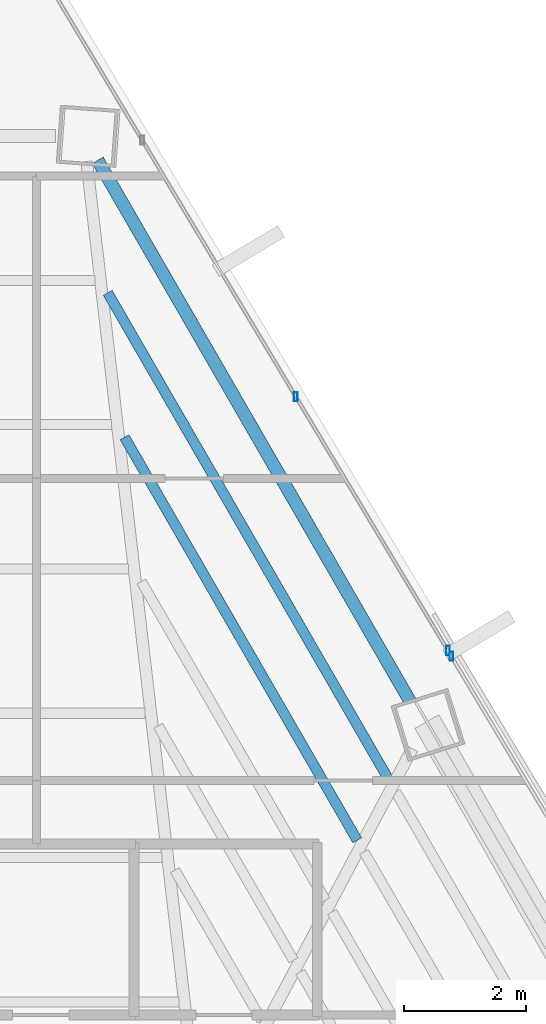
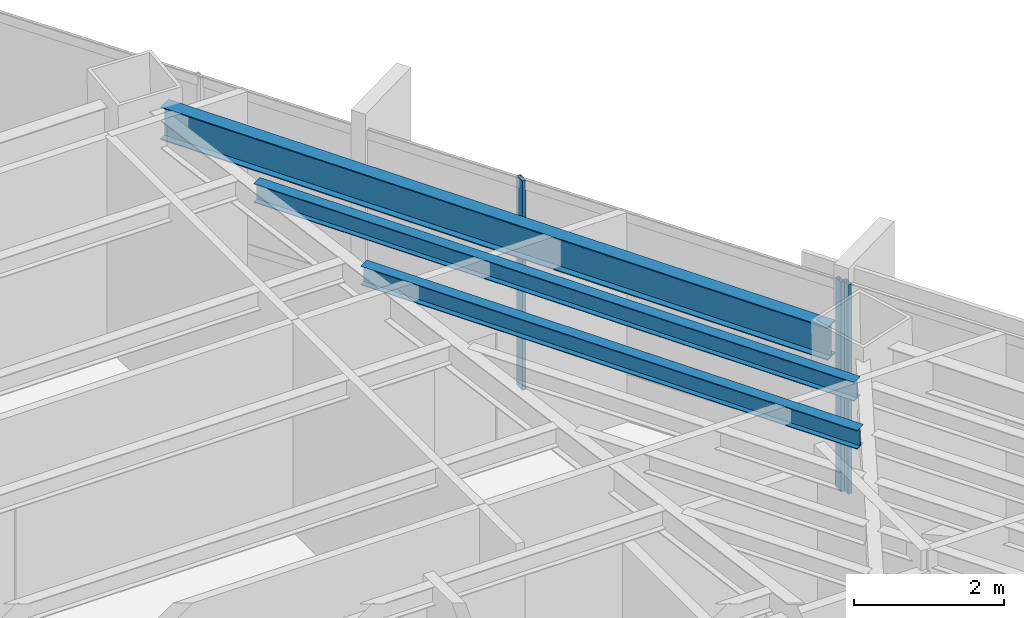
# One storey, part 32 of 41: 3 beams, 3 members, 2 elements without a shape of their own.
"""IFC4 building model written with IfcOpenShell, lengths in metres."""

from ifc_helpers import new_model, si_unit, direction, frame, origin, origin_2d, place, context, subcontext, project, spatial, hollow_rectangle, i_section, extrude, source, transform, mapped, material, material_profile, profile_set, type_object, type_shapes, element, aggregate, save


model = new_model("IFC4")

# Units and contexts
model_context = context("Model", 3, precision=1e-05, world=origin(), true_north=direction((0.0, 1.0)))
body_context = subcontext(model_context, "Body", "Model", "MODEL_VIEW")
ifc_project = project(units=[si_unit("LENGTHUNIT", "METRE"), si_unit("AREAUNIT", "SQUARE_METRE"), si_unit("VOLUMEUNIT", "CUBIC_METRE"), si_unit("PLANEANGLEUNIT", "RADIAN"), si_unit("MASSUNIT", "GRAM", prefix="KILO")], contexts=[model_context])

# Site, building, storey
site_placement = place(None, origin())
site = spatial("IfcSite", under=ifc_project, at=site_placement, CompositionType="ELEMENT")
building_placement = place(site_placement, origin())
building = spatial("IfcBuilding", under=site, at=building_placement, Name="Caelisora Broadcast Tower", CompositionType="ELEMENT")
storey_placement = place(building_placement, frame((0.0, 0.0, 180.39990234375)))
storey = spatial("IfcBuildingStorey", under=building, at=storey_placement, Name="L47", CompositionType="ELEMENT", Elevation=180.39990234375)

# Beams
ifc_material_1 = material(Name="Steel Grade 350 (AS/NZS 3679.1)", Category="steel")
ifc_material_profile_1 = material_profile(ifc_material_1, i_section(OverallWidth=0.208984375, OverallDepth=0.532958984375, WebThickness=0.01025390625, FlangeThickness=0.015625, at=origin_2d()), Name="Steel Grade 350 (AS/NZS 3679.1)")
ifc_profile_set_1 = profile_set([ifc_material_profile_1], Name="Steel Grade 350 (AS/NZS 3679.1)")
beam_type_1 = type_object("IfcBeamType", Name="PG05", PredefinedType="BEAM", material=ifc_profile_set_1)
shared_shape_1 = source(origin(), body_context, "Body", "SweptSolid", [
    extrude(i_section(OverallWidth=0.208984375, OverallDepth=0.532958984375, WebThickness=0.01025390625, FlangeThickness=0.015625, at=origin_2d()), origin(), (0.0, 0.0, 1.0), 10.239501953125),
])
type_shapes(beam_type_1, [shared_shape_1])
beam_1_placement = place(storey_placement, frame((48.924072265625, 37.28125, 3.133544921875), z_axis=(-0.500008646395, 0.866020411728, 0.0), x_axis=(-0.866020411728, -0.500008646395, 0.0)))
element("IfcBeam", 1, at=beam_1_placement, inside=storey, type_object=beam_type_1, Name="L47 beam PG05", PredefinedType="BEAM", context=body_context, shape_type="MappedRepresentation", body=[
    mapped(shared_shape_1, transform((0.0, 0.0, 0.0), scale=1.0)),
])
ifc_material_profile_2 = material_profile(ifc_material_1, i_section(OverallWidth=0.166015625, OverallDepth=0.30712890625, WebThickness=0.006591796875, FlangeThickness=0.01171875, at=origin_2d()), Name="Steel Grade 350 (AS/NZS 3679.1)")
ifc_profile_set_2 = profile_set([ifc_material_profile_2], Name="Steel Grade 350 (AS/NZS 3679.1)")
beam_type_2 = type_object("IfcBeamType", Name="SB03", PredefinedType="JOIST", material=ifc_profile_set_2)
shared_shape_2 = source(origin(), body_context, "Body", "SweptSolid", [
    extrude(i_section(OverallWidth=0.166015625, OverallDepth=0.30712890625, WebThickness=0.006591796875, FlangeThickness=0.01171875, at=origin_2d()), origin(), (0.0, 0.0, 1.0), 7.62353515625),
])
beam_2_placement = place(storey_placement, frame((48.05517578125, 35.01123046875, 3.24658203125), z_axis=(-0.499993194938, 0.866029332653, 0.0), x_axis=(-0.866029332653, -0.499993194938, 0.0)))
element("IfcBeam", 2, at=beam_2_placement, inside=storey, type_object=beam_type_2, Name="L47 beam SB03", PredefinedType="JOIST", context=body_context, shape_type="MappedRepresentation", body=[
    mapped(shared_shape_2, transform((0.0, 0.0, 0.0), scale=1.0)),
])
shared_shape_3 = source(origin(), body_context, "Body", "SweptSolid", [
    extrude(i_section(OverallWidth=0.166015625, OverallDepth=0.30712890625, WebThickness=0.006591796875, FlangeThickness=0.01171875, at=origin_2d()), origin(), (0.0, 0.0, 1.0), 9.218017578125),
])
type_shapes(beam_type_2, [shared_shape_2, shared_shape_3])
beam_3_placement = place(storey_placement, frame((48.5771484375, 35.994384765625, 3.24658203125), z_axis=(-0.499984576645, 0.86603430828, 0.0), x_axis=(-0.86603430828, -0.499984576645, 0.0)))
element("IfcBeam", 3, at=beam_3_placement, inside=storey, type_object=beam_type_2, Name="L47 beam SB03", PredefinedType="JOIST", context=body_context, shape_type="MappedRepresentation", body=[
    mapped(shared_shape_3, transform((0.0, 0.0, 0.0), scale=1.0)),
])

# Curtain wall, members
ifc_material_2 = material(Name="Unitised Aluminium and Low-E Glass Curtain Wall", Category="glass")
curtain_wall_type_1 = type_object("IfcCurtainWallType", Name="CW-Z3", PredefinedType="NOTDEFINED", material=ifc_material_2)
curtain_wall_1_placement = place(storey_placement, origin())
curtain_wall_1 = element("IfcCurtainWall", 4, at=curtain_wall_1_placement, inside=storey, type_object=curtain_wall_type_1, Name="L47 curtain wall CW-Z3", PredefinedType="NOTDEFINED")
ifc_material_3 = material(Name="Aluminium 6063-T6 Anodised Terracotta Bronze", Category="aluminium")
ifc_material_profile_3 = material_profile(ifc_material_3, hollow_rectangle(XDim=0.06005859375, YDim=0.14990234375, WallThickness=0.00341796875, at=origin_2d()), Name="Aluminium 6063-T6 Anodised Terracotta Bronze")
ifc_profile_set_3 = profile_set([ifc_material_profile_3], Name="Aluminium 6063-T6 Anodised Terracotta Bronze")
member_type = type_object("IfcMemberType", Name="CWM-03", PredefinedType="MULLION", material=ifc_profile_set_3)
shared_shape_4 = source(origin(), body_context, "Body", "SweptSolid", [
    extrude(hollow_rectangle(XDim=0.06005859375, YDim=0.14990234375, WallThickness=0.00341796875, at=origin_2d()), origin(), (0.0, 0.0, 1.0), 3.400146484375),
])
type_shapes(member_type, [shared_shape_4])
member_1_placement = place(storey_placement, frame((47.048828125, 42.27783203125, 0.0), z_axis=(0.0, 0.0, 1.0), x_axis=(1.0, 0.0, 0.0)))
member_1 = element("IfcMember", 5, at=member_1_placement, type_object=member_type, Name="L47-CW-B01 mullion #2", PredefinedType="MULLION", context=body_context, shape_type="MappedRepresentation", body=[
    mapped(shared_shape_4, transform((0.0, 0.0, 0.0), scale=1.0)),
])
member_2_placement = place(storey_placement, frame((49.53955078125, 38.119140625, 0.0), z_axis=(0.0, 0.0, 1.0), x_axis=(1.0, 0.0, 0.0)))
member_2 = element("IfcMember", 6, at=member_2_placement, type_object=member_type, Name="L47-CW-B01 mullion #3", PredefinedType="MULLION", context=body_context, shape_type="MappedRepresentation", body=[
    mapped(shared_shape_4, transform((0.0, 0.0, 0.0), scale=1.0)),
])
aggregate(curtain_wall_1, [member_1, member_2])

# Curtain wall, member
ifc_material_4 = material(Name="Unitised Aluminium Insulated Shadow-Box Spandrel Curtain Wall", Category="aluminium")
curtain_wall_type_2 = type_object("IfcCurtainWallType", Name="CW-SP2", PredefinedType="NOTDEFINED", material=ifc_material_4)
curtain_wall_2_placement = place(storey_placement, origin())
curtain_wall_2 = element("IfcCurtainWall", 7, at=curtain_wall_2_placement, inside=storey, type_object=curtain_wall_type_2, Name="L47 curtain wall CW-SP2", PredefinedType="NOTDEFINED")
member_3_placement = place(storey_placement, frame((49.59619140625, 38.024658203125, 0.0), z_axis=(0.0, 0.0, 1.0), x_axis=(1.0, 0.0, 0.0)))
member_3 = element("IfcMember", 8, at=member_3_placement, type_object=member_type, Name="L47-CW-B02 mullion #0", PredefinedType="MULLION", context=body_context, shape_type="MappedRepresentation", body=[
    mapped(shared_shape_4, transform((0.0, 0.0, 0.0), scale=1.0)),
])
aggregate(curtain_wall_2, [member_3])

save(model, "model.ifc")
